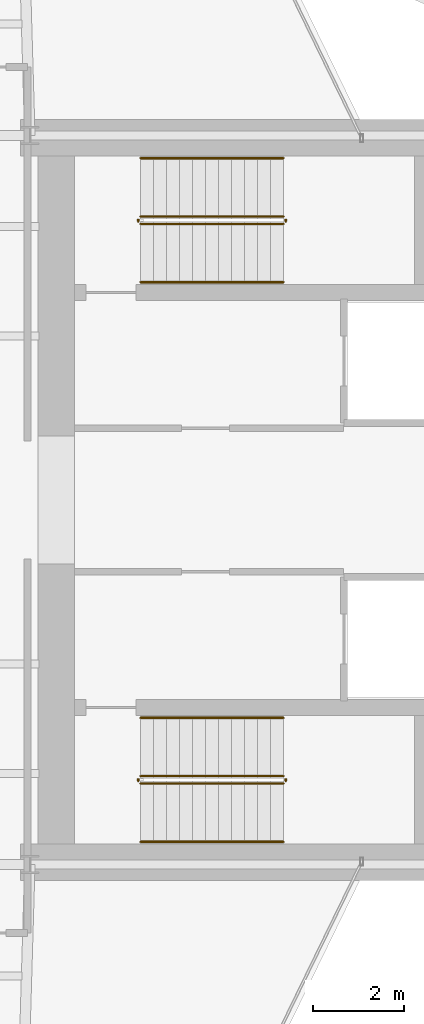
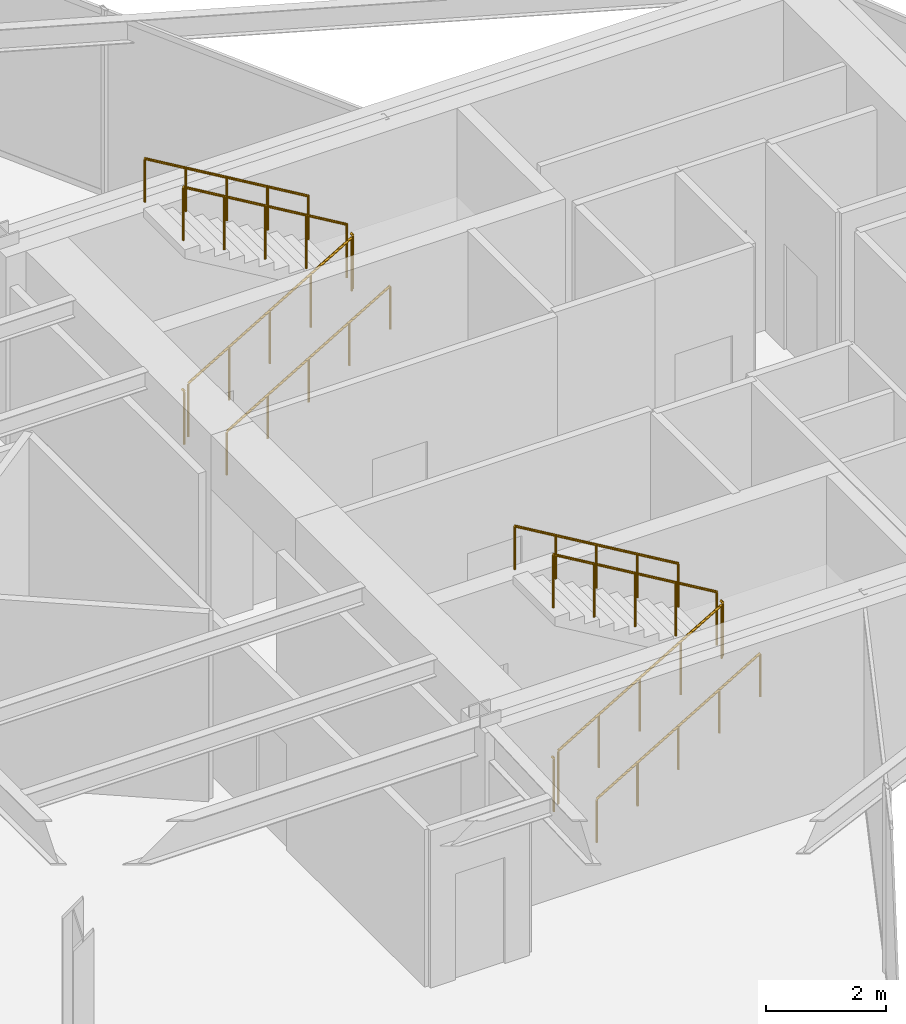
# One storey, part 25 of 25: 12 railings.
"""IFC4 building model written with IfcOpenShell, lengths in metres."""

from ifc_helpers import new_model, si_unit, direction, frame, origin, origin_2d, place, context, subcontext, project, spatial, circle, extrude, material, type_object, element, save


model = new_model("IFC4")

# Units and contexts
model_context = context("Model", 3, precision=1e-05, world=origin(), true_north=direction((0.0, 1.0)))
body_context = subcontext(model_context, "Body", "Model", "MODEL_VIEW")
ifc_project = project(units=[si_unit("LENGTHUNIT", "METRE"), si_unit("AREAUNIT", "SQUARE_METRE"), si_unit("VOLUMEUNIT", "CUBIC_METRE"), si_unit("PLANEANGLEUNIT", "RADIAN"), si_unit("MASSUNIT", "GRAM", prefix="KILO")], contexts=[model_context])

# Site, building, storey
site_placement = place(None, origin())
site = spatial("IfcSite", under=ifc_project, at=site_placement, CompositionType="ELEMENT")
building_placement = place(site_placement, origin())
building = spatial("IfcBuilding", under=site, at=building_placement, Name="Veymaron Broadcast Tower", CompositionType="ELEMENT")
storey_placement = place(building_placement, frame((0.0, 0.0, 116.85009765625)))
storey = spatial("IfcBuildingStorey", under=building, at=storey_placement, Name="L26", CompositionType="ELEMENT", Elevation=116.85009765625)

# Railings
ifc_material_1 = material(Name="Brushed stainless steel AISI 304", Category="steel")
railing_type_1 = type_object("IfcRailingType", Name="RAIL-STAIR-HR", PredefinedType="HANDRAIL", material=ifc_material_1)
railing_1_placement = place(storey_placement, frame((41.429931640625, 28.780029296875, 0.168701171875)))
element("IfcRailing", 1, at=railing_1_placement, inside=storey, type_object=railing_type_1, Name="L26 ST1 stair handrail 1", PredefinedType="HANDRAIL", context=body_context, shape_type="SweptSolid", body=[
    extrude(circle(Radius=0.02392578125, at=origin_2d()), frame((0.0, 0.0, 0.8759765625), z_axis=(0.860481960309, 0.0, 0.509480908359), x_axis=(0.0, 1.0, 0.0)), (0.0, 0.0, 1.0), 3.643310546875),
    extrude(circle(Radius=0.02099609375, at=origin_2d()), origin(), (0.0, 0.0, 1.0), 0.851806640625),
    extrude(circle(Radius=0.02099609375, at=origin_2d()), frame((0.78369140625, 0.0, 0.464111328125)), (0.0, 0.0, 1.0), 0.851806640625),
    extrude(circle(Radius=0.02099609375, at=origin_2d()), frame((1.5673828125, 0.0, 0.92822265625)), (0.0, 0.0, 1.0), 0.851806640625),
    extrude(circle(Radius=0.02099609375, at=origin_2d()), frame((2.351318359375, 0.0, 1.39208984375)), (0.0, 0.0, 1.0), 0.851806640625),
    extrude(circle(Radius=0.02099609375, at=origin_2d()), frame((3.135009765625, 0.0, 1.856201171875)), (0.0, 0.0, 1.0), 0.851806640625),
])
railing_2_placement = place(storey_placement, frame((44.56494140625, 31.5, 2.193603515625)))
element("IfcRailing", 2, at=railing_2_placement, inside=storey, type_object=railing_type_1, Name="L26 ST1 stair handrail 2", PredefinedType="HANDRAIL", context=body_context, shape_type="SweptSolid", body=[
    extrude(circle(Radius=0.02392578125, at=origin_2d()), frame((0.0, 0.0, 0.8759765625), z_axis=(-0.860481960309, 0.0, 0.509480908359), x_axis=(0.0, -1.0, 0.0)), (0.0, 0.0, 1.0), 3.643310546875),
    extrude(circle(Radius=0.02099609375, at=origin_2d()), origin(), (0.0, 0.0, 1.0), 0.851806640625),
    extrude(circle(Radius=0.02099609375, at=origin_2d()), frame((-0.78369140625, 0.0, 0.464111328125)), (0.0, 0.0, 1.0), 0.851806640625),
    extrude(circle(Radius=0.02099609375, at=origin_2d()), frame((-1.5673828125, 0.0, 0.92822265625)), (0.0, 0.0, 1.0), 0.851806640625),
    extrude(circle(Radius=0.02099609375, at=origin_2d()), frame((-2.351318359375, 0.0, 1.39208984375)), (0.0, 0.0, 1.0), 0.851806640625),
    extrude(circle(Radius=0.02099609375, at=origin_2d()), frame((-3.135009765625, 0.0, 1.856201171875)), (0.0, 0.0, 1.0), 0.851806640625),
])
railing_3_placement = place(storey_placement, frame((41.429931640625, 16.5, 0.168701171875)))
element("IfcRailing", 3, at=railing_3_placement, inside=storey, type_object=railing_type_1, Name="L26 ST2 stair handrail 1", PredefinedType="HANDRAIL", context=body_context, shape_type="SweptSolid", body=[
    extrude(circle(Radius=0.02392578125, at=origin_2d()), frame((0.0, 0.0, 0.8759765625), z_axis=(0.860481960309, 0.0, 0.509480908359), x_axis=(0.0, 1.0, 0.0)), (0.0, 0.0, 1.0), 3.643310546875),
    extrude(circle(Radius=0.02099609375, at=origin_2d()), origin(), (0.0, 0.0, 1.0), 0.851806640625),
    extrude(circle(Radius=0.02099609375, at=origin_2d()), frame((0.78369140625, 0.0, 0.464111328125)), (0.0, 0.0, 1.0), 0.851806640625),
    extrude(circle(Radius=0.02099609375, at=origin_2d()), frame((1.5673828125, 0.0, 0.92822265625)), (0.0, 0.0, 1.0), 0.851806640625),
    extrude(circle(Radius=0.02099609375, at=origin_2d()), frame((2.351318359375, 0.0, 1.39208984375)), (0.0, 0.0, 1.0), 0.851806640625),
    extrude(circle(Radius=0.02099609375, at=origin_2d()), frame((3.135009765625, 0.0, 1.856201171875)), (0.0, 0.0, 1.0), 0.851806640625),
])
railing_4_placement = place(storey_placement, frame((44.56494140625, 19.219970703125, 2.193603515625)))
element("IfcRailing", 4, at=railing_4_placement, inside=storey, type_object=railing_type_1, Name="L26 ST2 stair handrail 2", PredefinedType="HANDRAIL", context=body_context, shape_type="SweptSolid", body=[
    extrude(circle(Radius=0.02392578125, at=origin_2d()), frame((0.0, 0.0, 0.8759765625), z_axis=(-0.860481960309, 0.0, 0.509480908359), x_axis=(0.0, -1.0, 0.0)), (0.0, 0.0, 1.0), 3.643310546875),
    extrude(circle(Radius=0.02099609375, at=origin_2d()), origin(), (0.0, 0.0, 1.0), 0.851806640625),
    extrude(circle(Radius=0.02099609375, at=origin_2d()), frame((-0.78369140625, 0.0, 0.464111328125)), (0.0, 0.0, 1.0), 0.851806640625),
    extrude(circle(Radius=0.02099609375, at=origin_2d()), frame((-1.5673828125, 0.0, 0.92822265625)), (0.0, 0.0, 1.0), 0.851806640625),
    extrude(circle(Radius=0.02099609375, at=origin_2d()), frame((-2.351318359375, 0.0, 1.39208984375)), (0.0, 0.0, 1.0), 0.851806640625),
    extrude(circle(Radius=0.02099609375, at=origin_2d()), frame((-3.135009765625, 0.0, 1.856201171875)), (0.0, 0.0, 1.0), 0.851806640625),
])
ifc_material_2 = material(Name="Painted galvanized steel balustrade", Category="steel")
railing_type_2 = type_object("IfcRailingType", Name="RAIL-WELL-GRD", PredefinedType="GUARDRAIL", material=ifc_material_2)
railing_5_placement = place(storey_placement, frame((41.429931640625, 30.06005859375, 0.168701171875)))
element("IfcRailing", 5, at=railing_5_placement, inside=storey, type_object=railing_type_2, Name="L26 ST1 stair guard 1", PredefinedType="GUARDRAIL", context=body_context, shape_type="SweptSolid", body=[
    extrude(circle(Radius=0.02392578125, at=origin_2d()), frame((0.0, 0.0, 1.076171875), z_axis=(0.860481960309, 0.0, 0.509480908359), x_axis=(0.0, 1.0, 0.0)), (0.0, 0.0, 1.0), 3.643310546875),
    extrude(circle(Radius=0.02099609375, at=origin_2d()), origin(), (0.0, 0.0, 1.0), 1.052001953125),
    extrude(circle(Radius=0.02099609375, at=origin_2d()), frame((0.78369140625, 0.0, 0.464111328125)), (0.0, 0.0, 1.0), 1.052001953125),
    extrude(circle(Radius=0.02099609375, at=origin_2d()), frame((1.5673828125, 0.0, 0.92822265625)), (0.0, 0.0, 1.0), 1.052001953125),
    extrude(circle(Radius=0.02099609375, at=origin_2d()), frame((2.351318359375, 0.0, 1.39208984375)), (0.0, 0.0, 1.0), 1.052001953125),
    extrude(circle(Radius=0.02099609375, at=origin_2d()), frame((3.135009765625, 0.0, 1.856201171875)), (0.0, 0.0, 1.0), 1.052001953125),
])
railing_6_placement = place(storey_placement, frame((44.614990234375, 30.110107421875, 2.02490234375)))
element("IfcRailing", 6, at=railing_6_placement, inside=storey, type_object=railing_type_2, Name="L26 ST1 stair guard 2", PredefinedType="GUARDRAIL", context=body_context, shape_type="SweptSolid", body=[
    extrude(circle(Radius=0.02392578125, at=origin_2d()), frame((0.0, 0.0, 1.076171875), z_axis=(0.0, 1.0, 0.0), x_axis=(-1.0, 0.0, 0.0)), (0.0, 0.0, 1.0), 0.059814453125),
    extrude(circle(Radius=0.02099609375, at=origin_2d()), origin(), (0.0, 0.0, 1.0), 1.052001953125),
])
railing_7_placement = place(storey_placement, frame((44.56494140625, 30.219970703125, 2.193603515625)))
element("IfcRailing", 7, at=railing_7_placement, inside=storey, type_object=railing_type_2, Name="L26 ST1 stair guard 3", PredefinedType="GUARDRAIL", context=body_context, shape_type="SweptSolid", body=[
    extrude(circle(Radius=0.02392578125, at=origin_2d()), frame((0.0, 0.0, 1.076171875), z_axis=(-0.860481960309, 0.0, 0.509480908359), x_axis=(0.0, -1.0, 0.0)), (0.0, 0.0, 1.0), 3.643310546875),
    extrude(circle(Radius=0.02099609375, at=origin_2d()), origin(), (0.0, 0.0, 1.0), 1.052001953125),
    extrude(circle(Radius=0.02099609375, at=origin_2d()), frame((-0.78369140625, 0.0, 0.464111328125)), (0.0, 0.0, 1.0), 1.052001953125),
    extrude(circle(Radius=0.02099609375, at=origin_2d()), frame((-1.5673828125, 0.0, 0.92822265625)), (0.0, 0.0, 1.0), 1.052001953125),
    extrude(circle(Radius=0.02099609375, at=origin_2d()), frame((-2.351318359375, 0.0, 1.39208984375)), (0.0, 0.0, 1.0), 1.052001953125),
    extrude(circle(Radius=0.02099609375, at=origin_2d()), frame((-3.135009765625, 0.0, 1.856201171875)), (0.0, 0.0, 1.0), 1.052001953125),
])
railing_8_placement = place(storey_placement, frame((41.3798828125, 30.110107421875, 0.0)))
element("IfcRailing", 8, at=railing_8_placement, inside=storey, type_object=railing_type_2, Name="L26 ST1 stair guard 4", PredefinedType="GUARDRAIL", context=body_context, shape_type="SweptSolid", body=[
    extrude(circle(Radius=0.02392578125, at=origin_2d()), frame((0.0, 0.0, 1.076171875), z_axis=(0.0, 1.0, 0.0), x_axis=(-1.0, 0.0, 0.0)), (0.0, 0.0, 1.0), 0.059814453125),
    extrude(circle(Radius=0.02099609375, at=origin_2d()), origin(), (0.0, 0.0, 1.0), 1.052001953125),
])
railing_9_placement = place(storey_placement, frame((41.429931640625, 17.780029296875, 0.168701171875)))
element("IfcRailing", 9, at=railing_9_placement, inside=storey, type_object=railing_type_2, Name="L26 ST2 stair guard 1", PredefinedType="GUARDRAIL", context=body_context, shape_type="SweptSolid", body=[
    extrude(circle(Radius=0.02392578125, at=origin_2d()), frame((0.0, 0.0, 1.076171875), z_axis=(0.860481960309, 0.0, 0.509480908359), x_axis=(0.0, 1.0, 0.0)), (0.0, 0.0, 1.0), 3.643310546875),
    extrude(circle(Radius=0.02099609375, at=origin_2d()), origin(), (0.0, 0.0, 1.0), 1.052001953125),
    extrude(circle(Radius=0.02099609375, at=origin_2d()), frame((0.78369140625, 0.0, 0.464111328125)), (0.0, 0.0, 1.0), 1.052001953125),
    extrude(circle(Radius=0.02099609375, at=origin_2d()), frame((1.5673828125, 0.0, 0.92822265625)), (0.0, 0.0, 1.0), 1.052001953125),
    extrude(circle(Radius=0.02099609375, at=origin_2d()), frame((2.351318359375, 0.0, 1.39208984375)), (0.0, 0.0, 1.0), 1.052001953125),
    extrude(circle(Radius=0.02099609375, at=origin_2d()), frame((3.135009765625, 0.0, 1.856201171875)), (0.0, 0.0, 1.0), 1.052001953125),
])
railing_10_placement = place(storey_placement, frame((44.614990234375, 17.830078125, 2.02490234375)))
element("IfcRailing", 10, at=railing_10_placement, inside=storey, type_object=railing_type_2, Name="L26 ST2 stair guard 2", PredefinedType="GUARDRAIL", context=body_context, shape_type="SweptSolid", body=[
    extrude(circle(Radius=0.02392578125, at=origin_2d()), frame((0.0, 0.0, 1.076171875), z_axis=(0.0, 1.0, 0.0), x_axis=(-1.0, 0.0, 0.0)), (0.0, 0.0, 1.0), 0.059814453125),
    extrude(circle(Radius=0.02099609375, at=origin_2d()), origin(), (0.0, 0.0, 1.0), 1.052001953125),
])
railing_11_placement = place(storey_placement, frame((44.56494140625, 17.93994140625, 2.193603515625)))
element("IfcRailing", 11, at=railing_11_placement, inside=storey, type_object=railing_type_2, Name="L26 ST2 stair guard 3", PredefinedType="GUARDRAIL", context=body_context, shape_type="SweptSolid", body=[
    extrude(circle(Radius=0.02392578125, at=origin_2d()), frame((0.0, 0.0, 1.076171875), z_axis=(-0.860481960309, 0.0, 0.509480908359), x_axis=(0.0, -1.0, 0.0)), (0.0, 0.0, 1.0), 3.643310546875),
    extrude(circle(Radius=0.02099609375, at=origin_2d()), origin(), (0.0, 0.0, 1.0), 1.052001953125),
    extrude(circle(Radius=0.02099609375, at=origin_2d()), frame((-0.78369140625, 0.0, 0.464111328125)), (0.0, 0.0, 1.0), 1.052001953125),
    extrude(circle(Radius=0.02099609375, at=origin_2d()), frame((-1.5673828125, 0.0, 0.92822265625)), (0.0, 0.0, 1.0), 1.052001953125),
    extrude(circle(Radius=0.02099609375, at=origin_2d()), frame((-2.351318359375, 0.0, 1.39208984375)), (0.0, 0.0, 1.0), 1.052001953125),
    extrude(circle(Radius=0.02099609375, at=origin_2d()), frame((-3.135009765625, 0.0, 1.856201171875)), (0.0, 0.0, 1.0), 1.052001953125),
])
railing_12_placement = place(storey_placement, frame((41.3798828125, 17.830078125, 0.0)))
element("IfcRailing", 12, at=railing_12_placement, inside=storey, type_object=railing_type_2, Name="L26 ST2 stair guard 4", PredefinedType="GUARDRAIL", context=body_context, shape_type="SweptSolid", body=[
    extrude(circle(Radius=0.02392578125, at=origin_2d()), frame((0.0, 0.0, 1.076171875), z_axis=(0.0, 1.0, 0.0), x_axis=(-1.0, 0.0, 0.0)), (0.0, 0.0, 1.0), 0.059814453125),
    extrude(circle(Radius=0.02099609375, at=origin_2d()), origin(), (0.0, 0.0, 1.0), 1.052001953125),
])

save(model, "model.ifc")
